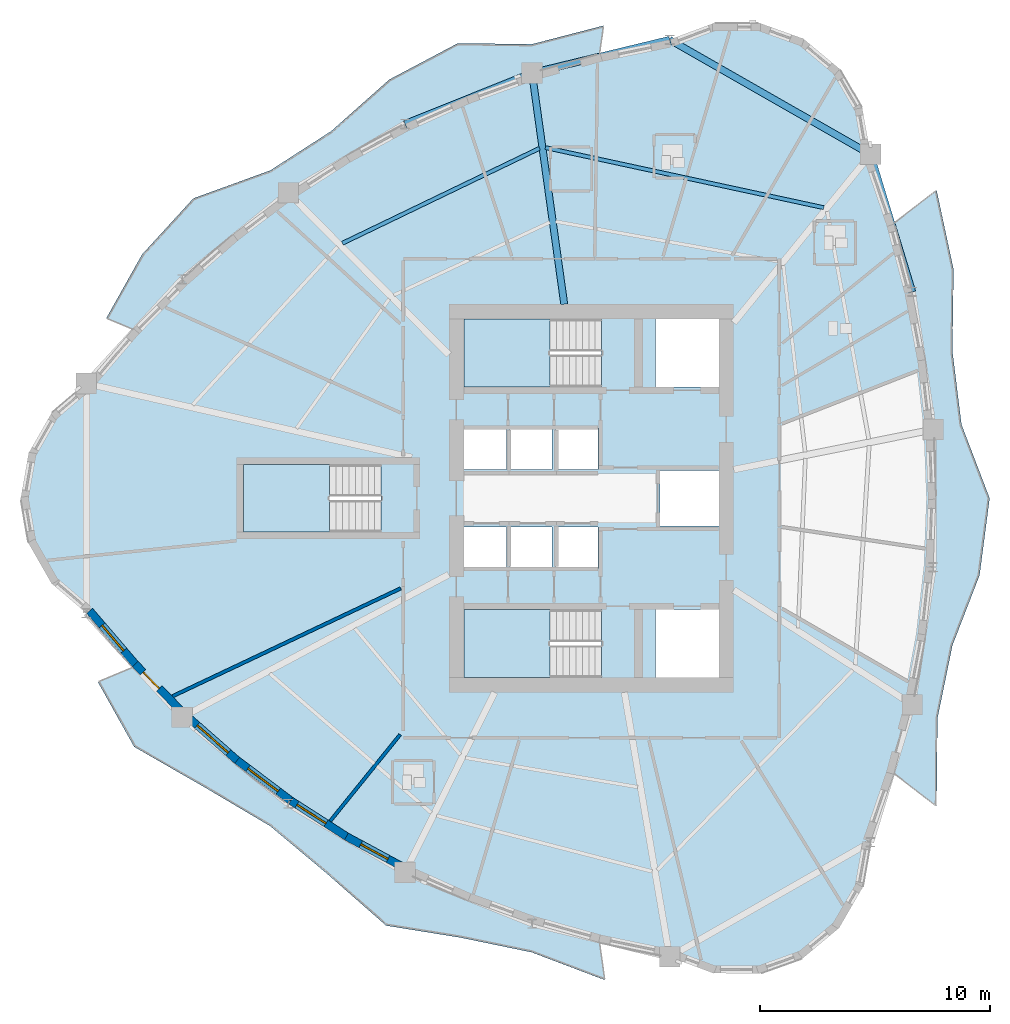
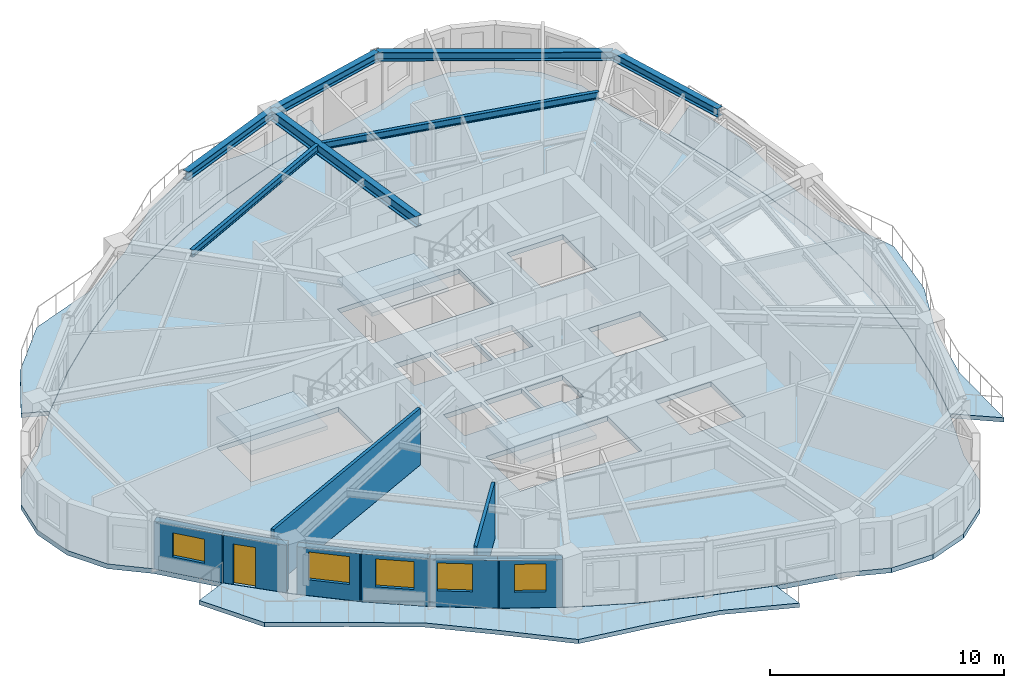
# One storey, part 2 of 12: 8 walls, 7 beams, 7 slabs, 5 windows, 1 door, 6 openings, 3 elements without a shape of their own.
"""IFC4 building model written with IfcOpenShell, lengths in metres."""

from ifc_helpers import new_model, si_unit, direction, frame, frame_2d, origin, origin_2d, place, context, subcontext, project, spatial, polyline, rectangle, i_section, outline, extrude, source, transform, mapped, material, layer, layer_set, material_profile, profile_set, type_object, element, fill, aggregate, save


model = new_model("IFC4")

# Units and contexts
model_context = context("Model", 3, precision=1e-05, world=origin(), true_north=direction((0.0, 1.0)))
body_context = subcontext(model_context, "Body", "Model", "MODEL_VIEW")
ifc_project = project(units=[si_unit("LENGTHUNIT", "METRE"), si_unit("AREAUNIT", "SQUARE_METRE"), si_unit("VOLUMEUNIT", "CUBIC_METRE"), si_unit("PLANEANGLEUNIT", "RADIAN"), si_unit("MASSUNIT", "GRAM", prefix="KILO")], contexts=[model_context])

# Site, building, storey
site_placement = place(None, origin())
site = spatial("IfcSite", under=ifc_project, at=site_placement, CompositionType="ELEMENT")
building_placement = place(site_placement, origin())
building = spatial("IfcBuilding", under=site, at=building_placement, Name="Qafzar Sky-Pleat Residences", CompositionType="ELEMENT")
storey_placement = place(building_placement, frame((0.0, 0.0, 96.0)))
storey = spatial("IfcBuildingStorey", under=building, at=storey_placement, Name="L28", CompositionType="ELEMENT", Elevation=96.0)

# Beams
ifc_material_1 = material(Name="Steel S355", Category="steel")
ifc_material_profile_1 = material_profile(ifc_material_1, i_section(OverallWidth=0.300048828125, OverallDepth=0.449951171875, WebThickness=0.013916015625, FlangeThickness=0.02587890625, FilletRadius=0.027099609375, at=origin_2d()), Name="HEB 450")
ifc_profile_set_1 = profile_set([ifc_material_profile_1], Name="Steel S355")
beam_type_1 = type_object("IfcBeamType", Name="BM-SPAN-HEB450", PredefinedType="SPANDREL", material=ifc_profile_set_1)
shared_shape_1 = source(origin(), body_context, "Body", "SweptSolid", [
    extrude(i_section(OverallWidth=0.300048828125, OverallDepth=0.449951171875, WebThickness=0.013916015625, FlangeThickness=0.02587890625, FilletRadius=0.027099609375, at=origin_2d()), origin(), (0.0, 0.0, 1.0), 10.072021484375),
])
beam_1_placement = place(storey_placement, frame((42.5048828125, 40.97119140625, 2.722900390625), z_axis=(-0.868286397172, 0.496063234363, 0.0), x_axis=(-0.496063234363, -0.868286397172, 0.0)))
element("IfcBeam", 1, at=beam_1_placement, inside=storey, type_object=beam_type_1, Name="L28 Perimeter Spandrel Beam 13", PredefinedType="SPANDREL", context=body_context, shape_type="MappedRepresentation", body=[
    mapped(shared_shape_1, transform((0.0, 0.0, 0.0), x_axis=(1.0, 0.0, 0.0), y_axis=(0.0, 1.0, 0.0), z_axis=(0.0, 0.0, 1.0), scale=1.0)),
])
shared_shape_2 = source(origin(), body_context, "Body", "SweptSolid", [
    extrude(i_section(OverallWidth=0.300048828125, OverallDepth=0.449951171875, WebThickness=0.013916015625, FlangeThickness=0.02587890625, FilletRadius=0.027099609375, at=origin_2d()), origin(), (0.0, 0.0, 1.0), 6.162353515625),
])
beam_2_placement = place(storey_placement, frame((33.759521484375, 45.967529296875, 2.722900390625), z_axis=(-0.971914942444, -0.235332413098, 0.0), x_axis=(0.235332413098, -0.971914942444, 0.0)))
element("IfcBeam", 2, at=beam_2_placement, inside=storey, type_object=beam_type_1, Name="L28 Perimeter Spandrel Beam 14", PredefinedType="SPANDREL", context=body_context, shape_type="MappedRepresentation", body=[
    mapped(shared_shape_2, transform((0.0, 0.0, 0.0), x_axis=(1.0, 0.0, 0.0), y_axis=(0.0, 1.0, 0.0), z_axis=(0.0, 0.0, 1.0), scale=1.0)),
])
shared_shape_3 = source(origin(), body_context, "Body", "SweptSolid", [
    extrude(i_section(OverallWidth=0.300048828125, OverallDepth=0.449951171875, WebThickness=0.013916015625, FlangeThickness=0.02587890625, FilletRadius=0.027099609375, at=origin_2d()), origin(), (0.0, 0.0, 1.0), 5.963623046875),
])
beam_3_placement = place(storey_placement, frame((27.770263671875, 44.517333984375, 2.722900390625), z_axis=(-0.92796478, -0.372667904546, 0.0), x_axis=(0.372667904546, -0.92796478, 0.0)))
element("IfcBeam", 3, at=beam_3_placement, inside=storey, type_object=beam_type_1, Name="L28 Perimeter Spandrel Beam 15", PredefinedType="SPANDREL", context=body_context, shape_type="MappedRepresentation", body=[
    mapped(shared_shape_3, transform((0.0, 0.0, 0.0), x_axis=(1.0, 0.0, 0.0), y_axis=(0.0, 1.0, 0.0), z_axis=(0.0, 0.0, 1.0), scale=1.0)),
])
shared_shape_4 = source(origin(), body_context, "Body", "SweptSolid", [
    extrude(i_section(OverallWidth=0.300048828125, OverallDepth=0.449951171875, WebThickness=0.013916015625, FlangeThickness=0.02587890625, FilletRadius=0.027099609375, at=origin_2d()), origin(), (0.0, 0.0, 1.0), 6.259033203125),
])
beam_4_placement = place(storey_placement, frame((44.325439453125, 34.982666015625, 2.722900390625), z_axis=(-0.290863594667, 0.956764531793, 0.0), x_axis=(-0.956764531793, -0.290863594667, 0.0)))
element("IfcBeam", 4, at=beam_4_placement, inside=storey, type_object=beam_type_1, Name="L28 Perimeter Spandrel Beam 12", PredefinedType="SPANDREL", context=body_context, shape_type="MappedRepresentation", body=[
    mapped(shared_shape_4, transform((0.0, 0.0, 0.0), x_axis=(1.0, 0.0, 0.0), y_axis=(0.0, 1.0, 0.0), z_axis=(0.0, 0.0, 1.0), scale=1.0)),
])
ifc_material_profile_2 = material_profile(ifc_material_1, i_section(OverallWidth=0.300048828125, OverallDepth=0.550048828125, WebThickness=0.014892578125, FlangeThickness=0.029052734375, FilletRadius=0.027099609375, at=origin_2d()), Name="HEB 550")
ifc_profile_set_2 = profile_set([ifc_material_profile_2], Name="Steel S355")
beam_type_2 = type_object("IfcBeamType", Name="BM-GIRD-HEB550", PredefinedType="BEAM", material=ifc_profile_set_2)
shared_shape_5 = source(origin(), body_context, "Body", "SweptSolid", [
    extrude(i_section(OverallWidth=0.300048828125, OverallDepth=0.550048828125, WebThickness=0.014892578125, FlangeThickness=0.029052734375, FilletRadius=0.027099609375, at=origin_2d()), origin(), (0.0, 0.0, 1.0), 10.16455078125),
])
beam_5_placement = place(storey_placement, frame((27.770263671875, 44.517333984375, 2.673095703125), z_axis=(0.137987276629, -0.990434001581, 0.0), x_axis=(0.990434001581, 0.137987276629, 0.0)))
element("IfcBeam", 5, at=beam_5_placement, inside=storey, type_object=beam_type_2, Name="L28 Radial Floor Girder 15", PredefinedType="BEAM", context=body_context, shape_type="MappedRepresentation", body=[
    mapped(shared_shape_5, transform((0.0, 0.0, 0.0), x_axis=(1.0, 0.0, 0.0), y_axis=(0.0, 1.0, 0.0), z_axis=(0.0, 0.0, 1.0), scale=1.0)),
])
ifc_material_profile_3 = material_profile(ifc_material_1, i_section(OverallWidth=0.169921875, OverallDepth=0.360107421875, WebThickness=0.008056640625, FlangeThickness=0.0126953125, FilletRadius=0.01806640625, at=origin_2d()), Name="IPE 360")
ifc_profile_set_3 = profile_set([ifc_material_profile_3], Name="Steel S355")
beam_type_3 = type_object("IfcBeamType", Name="BM-JST-IPE360", PredefinedType="JOIST", material=ifc_profile_set_3)
shared_shape_6 = source(origin(), body_context, "Body", "SweptSolid", [
    extrude(i_section(OverallWidth=0.169921875, OverallDepth=0.360107421875, WebThickness=0.008056640625, FlangeThickness=0.0126953125, FilletRadius=0.01806640625, at=origin_2d()), origin(), (0.0, 0.0, 1.0), 12.39501953125),
])
beam_6_placement = place(storey_placement, frame((40.46728515625, 38.652587890625, 2.76806640625), z_axis=(-0.977496999627, 0.210949320263, 0.0), x_axis=(-0.210949320263, -0.977496999627, 0.0)))
element("IfcBeam", 6, at=beam_6_placement, inside=storey, type_object=beam_type_3, Name="L28 Outer Secondary Floor Joist 7", PredefinedType="JOIST", context=body_context, shape_type="MappedRepresentation", body=[
    mapped(shared_shape_6, transform((0.0, 0.0, 0.0), x_axis=(1.0, 0.0, 0.0), y_axis=(0.0, 1.0, 0.0), z_axis=(0.0, 0.0, 1.0), scale=1.0)),
])
shared_shape_7 = source(origin(), body_context, "Body", "SweptSolid", [
    extrude(i_section(OverallWidth=0.169921875, OverallDepth=0.360107421875, WebThickness=0.008056640625, FlangeThickness=0.0126953125, FilletRadius=0.01806640625, at=origin_2d()), origin(), (0.0, 0.0, 1.0), 9.524658203125),
])
beam_7_placement = place(storey_placement, frame((28.097412109375, 41.2373046875, 2.76806640625), z_axis=(-0.90090776725, -0.434010593083, 0.0), x_axis=(0.434010593083, -0.90090776725, 0.0)))
element("IfcBeam", 7, at=beam_7_placement, inside=storey, type_object=beam_type_3, Name="L28 Outer Secondary Floor Joist 8", PredefinedType="JOIST", context=body_context, shape_type="MappedRepresentation", body=[
    mapped(shared_shape_7, transform((0.0, 0.0, 0.0), x_axis=(1.0, 0.0, 0.0), y_axis=(0.0, 1.0, 0.0), z_axis=(0.0, 0.0, 1.0), scale=1.0)),
])

# Slabs
ifc_material_2 = material(Name="Concrete C40/50", Category="concrete")
ifc_layer_1 = layer(ifc_material_2, 0.219970703125)
ifc_layer_set_1 = layer_set([ifc_layer_1], Name="Concrete C40/50")
slab_type_1 = type_object("IfcSlabType", Name="SLAB-BAL-220", PredefinedType="USERDEFINED", material=ifc_layer_set_1)
slab_1_placement = place(storey_placement, frame((0.0, 0.0, -0.219970703125)))
element("IfcSlab", 8, at=slab_1_placement, inside=storey, type_object=slab_type_1, Name="L28 Pleated Stone Balcony 1", ObjectType="BALCONY", PredefinedType="USERDEFINED", context=body_context, shape_type="SweptSolid", body=[
    extrude(outline(polyline([(44.3359375, 17.011474609375), (44.90576171875, 20.007568359375), (45.24755859375, 23.003662109375), (45.361572265625, 26.0), (45.24755859375, 28.996337890625), (44.90576171875, 31.992431640625), (44.3359375, 34.988525390625), (43.53857421875, 37.984130859375), (45.38427734375, 39.40771484375), (46.12158203125, 35.970947265625), (46.072509765625, 32.406005859375), (46.46728515625, 29.2080078125), (47.6923828125, 26.0), (47.25537109375, 22.65478515625), (46.072509765625, 19.593994140625), (45.420654296875, 16.414794921875), (45.38427734375, 12.59228515625), (43.53857421875, 14.015869140625), (44.3359375, 17.011474609375)])), origin(), (0.0, 0.0, 1.0), 0.219970703125),
])
slab_2_placement = place(storey_placement, frame((0.0, 0.0, -0.219970703125)))
element("IfcSlab", 9, at=slab_2_placement, inside=storey, type_object=slab_type_1, Name="L28 Pleated Stone Balcony 2", ObjectType="BALCONY", PredefinedType="USERDEFINED", context=body_context, shape_type="SweptSolid", body=[
    extrude(outline(polyline([(27.770263671875, 44.529296875), (24.9443359375, 43.514404296875), (22.232421875, 42.306396484375), (19.634033203125, 40.90478515625), (17.14990234375, 39.31005859375), (14.779541015625, 37.522216796875), (12.5234375, 35.541015625), (10.38134765625, 33.36669921875), (9.239013671875, 33.84423828125), (10.78857421875, 36.6103515625), (13.0224609375, 39.053466796875), (16.36767578125, 40.269775390625), (19.028076171875, 41.984375), (21.552734375, 44.227783203125), (24.543701171875, 45.810546875), (27.7548828125, 45.76708984375), (30.88134765625, 46.576904296875), (30.709716796875, 45.350830078125), (27.770263671875, 44.529296875)])), origin(), (0.0, 0.0, 1.0), 0.219970703125),
])
slab_3_placement = place(storey_placement, frame((0.0, 0.0, -0.219970703125)))
element("IfcSlab", 10, at=slab_3_placement, inside=storey, type_object=slab_type_1, Name="L28 Pleated Stone Balcony 3", ObjectType="BALCONY", PredefinedType="USERDEFINED", context=body_context, shape_type="SweptSolid", body=[
    extrude(outline(polyline([(12.5234375, 16.458984375), (14.779541015625, 14.477783203125), (17.14990234375, 12.68994140625), (19.634033203125, 11.09521484375), (22.232421875, 9.693603515625), (24.9443359375, 8.485595703125), (27.770263671875, 7.470703125), (30.709716796875, 6.649169921875), (30.936767578125, 5.027099609375), (27.7548828125, 6.23291015625), (24.662841796875, 6.8720703125), (21.419189453125, 7.395263671875), (18.832275390625, 9.666748046875), (16.36767578125, 11.730224609375), (13.544677734375, 13.401611328125), (10.447998046875, 15.1796875), (8.8701171875, 18.00146484375), (10.38134765625, 18.63330078125), (12.5234375, 16.458984375)])), origin(), (0.0, 0.0, 1.0), 0.219970703125),
])
ifc_layer_2 = layer(ifc_material_2, 0.25)
ifc_layer_set_2 = layer_set([ifc_layer_2], Name="Concrete C40/50")
slab_type_2 = type_object("IfcSlabType", Name="SLAB-FLR-250", PredefinedType="FLOOR", material=ifc_layer_set_2)
slab_4_placement = place(storey_placement, frame((0.0, 0.0, -0.25)))
element("IfcSlab", 11, at=slab_4_placement, inside=storey, type_object=slab_type_2, Name="L28 Structural Floor Slab", PredefinedType="FLOOR", context=body_context, shape_type="SweptSolid", body=[
    extrude(outline(polyline([(8.364990234375, 30.996337890625), (6.844970703125, 29.701171875), (5.854248046875, 27.96728515625), (5.510498046875, 26.0), (5.854248046875, 24.03271484375), (6.844970703125, 22.298828125), (8.364990234375, 21.003662109375), (10.392333984375, 18.637939453125), (12.53369140625, 16.46533203125), (14.78857421875, 14.48583984375), (17.157470703125, 12.69921875), (19.639892578125, 11.105712890625), (22.236328125, 9.705078125), (24.9462890625, 8.497314453125), (27.770263671875, 7.482666015625), (30.7080078125, 6.6611328125), (33.759521484375, 6.032470703125), (35.654541015625, 5.32470703125), (37.677490234375, 5.31103515625), (39.58203125, 5.992919921875), (41.13671875, 7.287109375), (42.152099609375, 9.036865234375), (42.5048828125, 11.02880859375), (43.529052734375, 14.023193359375), (44.325439453125, 17.017333984375), (44.894287109375, 20.011474609375), (45.235595703125, 23.005859375), (45.349609375, 26.0), (45.235595703125, 28.994140625), (44.894287109375, 31.988525390625), (44.325439453125, 34.982666015625), (43.529052734375, 37.976806640625), (42.5048828125, 40.97119140625), (42.152099609375, 42.963134765625), (41.13671875, 44.712890625), (39.58203125, 46.007080078125), (37.677490234375, 46.68896484375), (35.654541015625, 46.67529296875), (33.759521484375, 45.967529296875), (30.7080078125, 45.3388671875), (27.770263671875, 44.517333984375), (24.9462890625, 43.502685546875), (22.236328125, 42.294921875), (19.639892578125, 40.894287109375), (17.157470703125, 39.30078125), (14.78857421875, 37.51416015625), (12.53369140625, 35.53466796875), (10.392333984375, 33.362060546875), (8.364990234375, 30.996337890625)]), holes=[polyline([(30.797119140625, 21.14990234375), (24.800048828125, 21.14990234375), (24.800048828125, 18.199951171875), (30.797119140625, 18.199951171875), (30.797119140625, 21.14990234375)]), polyline([(30.797119140625, 33.800048828125), (24.800048828125, 33.800048828125), (24.800048828125, 30.85009765625), (30.797119140625, 30.85009765625), (30.797119140625, 33.800048828125)]), polyline([(21.197021484375, 27.47509765625), (15.199951171875, 27.47509765625), (15.199951171875, 24.52490234375), (21.197021484375, 24.52490234375), (21.197021484375, 27.47509765625)]), polyline([(24.800048828125, 22.949951171875), (26.64990234375, 22.949951171875), (26.64990234375, 24.75), (24.800048828125, 24.75), (24.800048828125, 22.949951171875)]), polyline([(26.800048828125, 22.949951171875), (28.64990234375, 22.949951171875), (28.64990234375, 24.75), (26.800048828125, 24.75), (26.800048828125, 22.949951171875)]), polyline([(28.800048828125, 22.949951171875), (30.64990234375, 22.949951171875), (30.64990234375, 24.75), (28.800048828125, 24.75), (28.800048828125, 22.949951171875)]), polyline([(24.800048828125, 27.25), (26.64990234375, 27.25), (26.64990234375, 29.050048828125), (24.800048828125, 29.050048828125), (24.800048828125, 27.25)]), polyline([(26.800048828125, 27.25), (28.64990234375, 27.25), (28.64990234375, 29.050048828125), (26.800048828125, 29.050048828125), (26.800048828125, 27.25)]), polyline([(28.800048828125, 27.25), (30.64990234375, 27.25), (30.64990234375, 29.050048828125), (28.800048828125, 29.050048828125), (28.800048828125, 27.25)]), polyline([(33.14990234375, 18.199951171875), (35.89990234375, 18.199951171875), (35.89990234375, 21.14990234375), (33.14990234375, 21.14990234375), (33.14990234375, 18.199951171875)]), polyline([(33.14990234375, 30.85009765625), (35.89990234375, 30.85009765625), (35.89990234375, 33.800048828125), (33.14990234375, 33.800048828125), (33.14990234375, 30.85009765625)]), polyline([(33.35009765625, 24.800048828125), (35.89990234375, 24.800048828125), (35.89990234375, 27.199951171875), (33.35009765625, 27.199951171875), (33.35009765625, 24.800048828125)])]), origin(), (0.0, 0.0, 1.0), 0.25),
])

# Stair, slab
stair_type = type_object("IfcStairType", Name="STAIR-H320", PredefinedType="HALF_TURN_STAIR", material=ifc_material_2)
stair_1_placement = place(storey_placement, origin())
stair_1 = element("IfcStair", 12, at=stair_1_placement, inside=storey, type_object=stair_type, Name="L28 Protected Exit Stair ST1", PredefinedType="HALF_TURN_STAIR")
ifc_layer_3 = layer(ifc_material_2, 0.199951171875)
ifc_layer_set_3 = layer_set([ifc_layer_3], Name="Concrete C40/50")
slab_type_3 = type_object("IfcSlabType", Name="SLAB-LANDING-200", PredefinedType="LANDING", material=ifc_layer_set_3)
slab_5_placement = place(storey_placement, frame((0.0, 0.0, 1.39990234375)))
slab_5 = element("IfcSlab", 13, at=slab_5_placement, type_object=slab_type_3, Name="ST1 landing 1", PredefinedType="LANDING", context=body_context, shape_type="SweptSolid", body=[
    extrude(outline(polyline([(28.56005859375, 21.14990234375), (24.800048828125, 21.14990234375), (24.800048828125, 18.199951171875), (28.56005859375, 18.199951171875), (28.56005859375, 21.14990234375)])), origin(), (0.0, 0.0, 1.0), 0.2001953125),
])
aggregate(stair_1, [slab_5])

stair_2_placement = place(storey_placement, origin())
stair_2 = element("IfcStair", 14, at=stair_2_placement, inside=storey, type_object=stair_type, Name="L28 Protected Exit Stair ST2", PredefinedType="HALF_TURN_STAIR")
slab_6_placement = place(storey_placement, frame((0.0, 0.0, 1.39990234375)))
slab_6 = element("IfcSlab", 15, at=slab_6_placement, type_object=slab_type_3, Name="ST2 landing 1", PredefinedType="LANDING", context=body_context, shape_type="SweptSolid", body=[
    extrude(outline(polyline([(28.56005859375, 33.800048828125), (24.800048828125, 33.800048828125), (24.800048828125, 30.85009765625), (28.56005859375, 30.85009765625), (28.56005859375, 33.800048828125)])), origin(), (0.0, 0.0, 1.0), 0.2001953125),
])
aggregate(stair_2, [slab_6])

stair_3_placement = place(storey_placement, origin())
stair_3 = element("IfcStair", 16, at=stair_3_placement, inside=storey, type_object=stair_type, Name="L28 Protected Exit Stair ST3", PredefinedType="HALF_TURN_STAIR")
slab_7_placement = place(storey_placement, frame((0.0, 0.0, 1.39990234375)))
slab_7 = element("IfcSlab", 17, at=slab_7_placement, type_object=slab_type_3, Name="ST3 landing 1", PredefinedType="LANDING", context=body_context, shape_type="SweptSolid", body=[
    extrude(outline(polyline([(18.9599609375, 27.47509765625), (15.199951171875, 27.47509765625), (15.199951171875, 24.52490234375), (18.9599609375, 24.52490234375), (18.9599609375, 27.47509765625)])), origin(), (0.0, 0.0, 1.0), 0.2001953125),
])
aggregate(stair_3, [slab_7])

# Walls
ifc_material_3 = material(Name="Acoustic gypsum plasterboard partition", Category="gypsum")
ifc_layer_4 = layer(ifc_material_3, 0.14501953125)
ifc_layer_set_4 = layer_set([ifc_layer_4], Name="Acoustic gypsum plasterboard partition")
wall_type_1 = type_object("IfcWallType", Name="PART-UNIT-145", PredefinedType="PARTITIONING", material=ifc_layer_set_4)
wall_1_placement = place(storey_placement, frame((12.122802734375, 17.3828125, 0.0), z_axis=(0.0, 0.0, 1.0), x_axis=(0.904049465168, 0.427427847162, 0.0)))
element("IfcWall", 18, at=wall_1_placement, inside=storey, type_object=wall_type_1, Name="L28 Partition Wall PART-L28-PW-023", PredefinedType="PARTITIONING", context=body_context, shape_type="SweptSolid", body=[
    extrude(rectangle(XDim=10.982666015625, YDim=0.14501953125, at=frame_2d((5.4912109375, 0.0))), origin(), (0.0, 0.0, 1.0), 2.949951171875),
])
wall_2_placement = place(storey_placement, frame((18.985595703125, 11.948486328125, 0.0), z_axis=(0.0, 0.0, 1.0), x_axis=(0.628820808954, 0.777550249326, 0.0)))
element("IfcWall", 19, at=wall_2_placement, inside=storey, type_object=wall_type_1, Name="L28 Partition Wall PART-L28-PW-038", PredefinedType="PARTITIONING", context=body_context, shape_type="SweptSolid", body=[
    extrude(rectangle(XDim=4.839111328125, YDim=0.14501953125, at=frame_2d((2.41943359375, 0.0))), origin(), (0.0, 0.0, 1.0), 2.949951171875),
])

# Wall, opening, window
ifc_material_4 = material(Name="Precast concrete C40/50 with honed Riyadh limestone", Category="concrete")
ifc_layer_5 = layer(ifc_material_4, 0.340087890625)
ifc_layer_set_5 = layer_set([ifc_layer_5], Name="Precast concrete C40/50 with honed Riyadh limestone")
wall_type_2 = type_object("IfcWallType", Name="WALL-EXT-340", PredefinedType="SOLIDWALL", material=ifc_layer_set_5)
wall_3_placement = place(storey_placement, frame((8.507080078125, 21.09912109375, 0.0), z_axis=(0.0, 0.0, 1.0), x_axis=(0.650714375508, -0.759322593834, 0.0)))
wall_3 = element("IfcWall", 20, at=wall_3_placement, inside=storey, type_object=wall_type_2, Name="L28 Limestone Facade Wall 7", PredefinedType="SOLIDWALL", context=body_context, shape_type="SweptSolid", body=[
    extrude(rectangle(XDim=3.133544921875, YDim=0.340087890625, at=frame_2d((1.56689453125, 0.0))), origin(), (0.0, 0.0, 1.0), 2.47998046875),
])
opening_1_placement = place(wall_3_placement, frame((0.831787109375, 0.0, 0.820068359375)))
opening_1 = element("IfcOpeningElement", 21, at=opening_1_placement, cuts=wall_3, Name="Opening WN-15", PredefinedType="OPENING", context=body_context, shape_type="SweptSolid", body=[
    extrude(rectangle(XDim=1.449951171875, YDim=1.25, at=frame_2d((0.72509765625, 0.625))), frame((0.0, 0.18017578125, 0.0), z_axis=(0.0, -1.0, 0.0), x_axis=(1.0, 0.0, 0.0)), (0.0, 0.0, 1.0), 0.360107421875),
])
ifc_material_5 = material(Name="Solar-control low-E glass in bronze aluminium frame", Category="glass")
window_type_1 = type_object("IfcWindowType", Name="WIN-15", PartitioningType="SINGLE_PANEL", PredefinedType="WINDOW", material=ifc_material_5)
shared_shape_8 = source(origin(), body_context, "Body", "SweptSolid", [
    extrude(rectangle(XDim=1.449951171875, YDim=1.25, at=frame_2d((0.72509765625, 0.625))), frame((0.0, 0.030029296875, 0.0), z_axis=(0.0, -1.0, 0.0), x_axis=(1.0, 0.0, 0.0)), (0.0, 0.0, 1.0), 0.06005859375),
])
window_1_placement = place(opening_1_placement, origin())
window_1 = element("IfcWindow", 22, at=window_1_placement, inside=storey, type_object=window_type_1, Name="L28 Punched Facade Window 07", OverallHeight=1.25, OverallWidth=1.449951171875, PartitioningType="SINGLE_PANEL", PredefinedType="WINDOW", context=body_context, shape_type="MappedRepresentation", body=[
    mapped(shared_shape_8, transform((0.0, 0.0, 0.0), x_axis=(1.0, 0.0, 0.0), y_axis=(0.0, 1.0, 0.0), z_axis=(0.0, 0.0, 1.0), scale=1.0)),
])
fill(opening_1, window_1)

# Wall, opening, door
wall_4_placement = place(storey_placement, frame((10.48681640625, 18.784423828125, 0.0), z_axis=(0.0, 0.0, 1.0), x_axis=(0.701920439278, -0.71225535935, 0.0)))
wall_4 = element("IfcWall", 23, at=wall_4_placement, inside=storey, type_object=wall_type_2, Name="L28 Limestone Facade Wall 8", PredefinedType="SOLIDWALL", context=body_context, shape_type="SweptSolid", body=[
    extrude(rectangle(XDim=2.8583984375, YDim=0.340087890625, at=frame_2d((1.42919921875, 0.0))), origin(), (0.0, 0.0, 1.0), 2.47998046875),
])
opening_2_placement = place(wall_4_placement, frame((0.50048828125, 0.0, 0.0)))
opening_2 = element("IfcOpeningElement", 24, at=opening_2_placement, cuts=wall_4, Name="Opening ED-05", PredefinedType="OPENING", context=body_context, shape_type="SweptSolid", body=[
    extrude(rectangle(XDim=1.0, YDim=2.10009765625, at=frame_2d((0.5, 1.050048828125))), frame((0.0, 0.18017578125, 0.0), z_axis=(0.0, -1.0, 0.0), x_axis=(1.0, 0.0, 0.0)), (0.0, 0.0, 1.0), 0.360107421875),
])
ifc_material_6 = material(Name="Glazed bronze aluminium door", Category="aluminium")
door_type = type_object("IfcDoorType", Name="DR-BAL-1000", OperationType="NOTDEFINED", PredefinedType="DOOR", material=ifc_material_6)
shared_shape_9 = source(origin(), body_context, "Body", "SweptSolid", [
    extrude(rectangle(XDim=1.0, YDim=2.10009765625, at=frame_2d((0.5, 1.050048828125))), frame((0.0, 0.02490234375, 0.0), z_axis=(0.0, -1.0, 0.0), x_axis=(1.0, 0.0, 0.0)), (0.0, 0.0, 1.0), 0.050048828125),
])
door_placement = place(opening_2_placement, origin())
door = element("IfcDoor", 25, at=door_placement, inside=storey, type_object=door_type, Name="L28 Glazed Balcony Door 3", OperationType="SINGLE_SWING_LEFT", OverallHeight=2.10009765625, OverallWidth=1.0, PredefinedType="DOOR", context=body_context, shape_type="MappedRepresentation", body=[
    mapped(shared_shape_9, transform((0.0, 0.0, 0.0), x_axis=(1.0, 0.0, 0.0), y_axis=(0.0, 1.0, 0.0), z_axis=(0.0, 0.0, 1.0), scale=1.0)),
])
fill(opening_2, door)

# Wall, opening, window
wall_5_placement = place(storey_placement, frame((12.818603515625, 16.44140625, 0.0), z_axis=(0.0, 0.0, 1.0), x_axis=(0.751471759174, -0.659765257621, 0.0)))
wall_5 = element("IfcWall", 26, at=wall_5_placement, inside=storey, type_object=wall_type_2, Name="L28 Limestone Facade Wall 9", PredefinedType="SOLIDWALL", context=body_context, shape_type="SweptSolid", body=[
    extrude(rectangle(XDim=2.80859375, YDim=0.340087890625, at=frame_2d((1.404296875, 0.0))), origin(), (0.0, 0.0, 1.0), 2.47998046875),
])
opening_3_placement = place(wall_5_placement, frame((0.499267578125, 0.0, 0.820068359375)))
opening_3 = element("IfcOpeningElement", 27, at=opening_3_placement, cuts=wall_5, Name="Opening WN-01", PredefinedType="OPENING", context=body_context, shape_type="SweptSolid", body=[
    extrude(rectangle(XDim=1.800048828125, YDim=1.449951171875, at=frame_2d((0.89990234375, 0.72509765625))), frame((0.0, 0.18017578125, 0.0), z_axis=(0.0, -1.0, 0.0), x_axis=(1.0, 0.0, 0.0)), (0.0, 0.0, 1.0), 0.360107421875),
])
window_type_2 = type_object("IfcWindowType", Name="WIN-01", PartitioningType="DOUBLE_PANEL_VERTICAL", PredefinedType="WINDOW", material=ifc_material_5)
shared_shape_10 = source(origin(), body_context, "Body", "SweptSolid", [
    extrude(rectangle(XDim=1.800048828125, YDim=1.449951171875, at=frame_2d((0.89990234375, 0.72509765625))), frame((0.0, 0.030029296875, 0.0), z_axis=(0.0, -1.0, 0.0), x_axis=(1.0, 0.0, 0.0)), (0.0, 0.0, 1.0), 0.06005859375),
])
window_2_placement = place(opening_3_placement, origin())
window_2 = element("IfcWindow", 28, at=window_2_placement, inside=storey, type_object=window_type_2, Name="L28 Punched Facade Window 09", OverallHeight=1.449951171875, OverallWidth=1.800048828125, PartitioningType="SINGLE_PANEL", PredefinedType="WINDOW", context=body_context, shape_type="MappedRepresentation", body=[
    mapped(shared_shape_10, transform((0.0, 0.0, 0.0), x_axis=(1.0, 0.0, 0.0), y_axis=(0.0, 1.0, 0.0), z_axis=(0.0, 0.0, 1.0), scale=1.0)),
])
fill(opening_3, window_2)

wall_6_placement = place(storey_placement, frame((14.860595703125, 14.644287109375, 0.0), z_axis=(0.0, 0.0, 1.0), x_axis=(0.798407246828, -0.602117819212, 0.0)))
wall_6 = element("IfcWall", 29, at=wall_6_placement, inside=storey, type_object=wall_type_2, Name="L28 Limestone Facade Wall 10", PredefinedType="SOLIDWALL", context=body_context, shape_type="SweptSolid", body=[
    extrude(rectangle(XDim=2.985107421875, YDim=0.340087890625, at=frame_2d((1.49267578125, 0.0))), origin(), (0.0, 0.0, 1.0), 2.47998046875),
])
opening_4_placement = place(wall_6_placement, frame((0.677490234375, 0.0, 0.820068359375)))
opening_4 = element("IfcOpeningElement", 30, at=opening_4_placement, cuts=wall_6, Name="Opening WN-02", PredefinedType="OPENING", context=body_context, shape_type="SweptSolid", body=[
    extrude(rectangle(XDim=1.64990234375, YDim=1.449951171875, at=frame_2d((0.824951171875, 0.72509765625))), frame((0.0, 0.18017578125, 0.0), z_axis=(0.0, -1.0, 0.0), x_axis=(1.0, 0.0, 0.0)), (0.0, 0.0, 1.0), 0.360107421875),
])
window_type_3 = type_object("IfcWindowType", Name="WIN-02", PartitioningType="DOUBLE_PANEL_VERTICAL", PredefinedType="WINDOW", material=ifc_material_5)
shared_shape_11 = source(origin(), body_context, "Body", "SweptSolid", [
    extrude(rectangle(XDim=1.64990234375, YDim=1.449951171875, at=frame_2d((0.824951171875, 0.72509765625))), frame((0.0, 0.030029296875, 0.0), z_axis=(0.0, -1.0, 0.0), x_axis=(1.0, 0.0, 0.0)), (0.0, 0.0, 1.0), 0.06005859375),
])
window_3_placement = place(opening_4_placement, origin())
window_3 = element("IfcWindow", 31, at=window_3_placement, inside=storey, type_object=window_type_3, Name="L28 Punched Facade Window 10", OverallHeight=1.449951171875, OverallWidth=1.64990234375, PartitioningType="SINGLE_PANEL", PredefinedType="WINDOW", context=body_context, shape_type="MappedRepresentation", body=[
    mapped(shared_shape_11, transform((0.0, 0.0, 0.0), x_axis=(1.0, 0.0, 0.0), y_axis=(0.0, 1.0, 0.0), z_axis=(0.0, 0.0, 1.0), scale=1.0)),
])
fill(opening_4, window_3)

wall_7_placement = place(storey_placement, frame((17.26611328125, 12.83154296875, 0.0), z_axis=(0.0, 0.0, 1.0), x_axis=(0.841493702039, -0.540266924241, 0.0)))
wall_7 = element("IfcWall", 32, at=wall_7_placement, inside=storey, type_object=wall_type_2, Name="L28 Limestone Facade Wall 11", PredefinedType="SOLIDWALL", context=body_context, shape_type="SweptSolid", body=[
    extrude(rectangle(XDim=2.968017578125, YDim=0.340087890625, at=frame_2d((1.48388671875, 0.0))), origin(), (0.0, 0.0, 1.0), 2.47998046875),
])
opening_5_placement = place(wall_7_placement, frame((0.320556640625, 0.0, 0.820068359375)))
opening_5 = element("IfcOpeningElement", 33, at=opening_5_placement, cuts=wall_7, Name="Opening WN-03", PredefinedType="OPENING", context=body_context, shape_type="SweptSolid", body=[
    extrude(rectangle(XDim=1.5, YDim=1.449951171875, at=frame_2d((0.75, 0.72509765625))), frame((0.0, 0.18017578125, 0.0), z_axis=(0.0, -1.0, 0.0), x_axis=(1.0, 0.0, 0.0)), (0.0, 0.0, 1.0), 0.360107421875),
])
window_type_4 = type_object("IfcWindowType", Name="WIN-03", PartitioningType="DOUBLE_PANEL_VERTICAL", PredefinedType="WINDOW", material=ifc_material_5)
shared_shape_12 = source(origin(), body_context, "Body", "SweptSolid", [
    extrude(rectangle(XDim=1.5, YDim=1.449951171875, at=frame_2d((0.75, 0.72509765625))), frame((0.0, 0.030029296875, 0.0), z_axis=(0.0, -1.0, 0.0), x_axis=(1.0, 0.0, 0.0)), (0.0, 0.0, 1.0), 0.06005859375),
])
window_4_placement = place(opening_5_placement, origin())
window_4 = element("IfcWindow", 34, at=window_4_placement, inside=storey, type_object=window_type_4, Name="L28 Punched Facade Window 11", OverallHeight=1.449951171875, OverallWidth=1.5, PartitioningType="SINGLE_PANEL", PredefinedType="WINDOW", context=body_context, shape_type="MappedRepresentation", body=[
    mapped(shared_shape_12, transform((0.0, 0.0, 0.0), x_axis=(1.0, 0.0, 0.0), y_axis=(0.0, 1.0, 0.0), z_axis=(0.0, 0.0, 1.0), scale=1.0)),
])
fill(opening_5, window_4)

wall_8_placement = place(storey_placement, frame((19.687255859375, 11.273193359375, 0.0), z_axis=(0.0, 0.0, 1.0), x_axis=(0.880115534419, -0.474759566595, 0.0)))
wall_8 = element("IfcWall", 35, at=wall_8_placement, inside=storey, type_object=wall_type_2, Name="L28 Limestone Facade Wall 12", PredefinedType="SOLIDWALL", context=body_context, shape_type="SweptSolid", body=[
    extrude(rectangle(XDim=2.7578125, YDim=0.340087890625, at=frame_2d((1.37890625, 0.0))), origin(), (0.0, 0.0, 1.0), 2.47998046875),
])
opening_6_placement = place(wall_8_placement, frame((0.708984375, 0.0, 0.820068359375)))
opening_6 = element("IfcOpeningElement", 36, at=opening_6_placement, cuts=wall_8, Name="Opening WN-04", PredefinedType="OPENING", context=body_context, shape_type="SweptSolid", body=[
    extrude(rectangle(XDim=1.35009765625, YDim=1.449951171875, at=frame_2d((0.675048828125, 0.72509765625))), frame((0.0, 0.18017578125, 0.0), z_axis=(0.0, -1.0, 0.0), x_axis=(1.0, 0.0, 0.0)), (0.0, 0.0, 1.0), 0.360107421875),
])
window_type_5 = type_object("IfcWindowType", Name="WIN-04", PartitioningType="SINGLE_PANEL", PredefinedType="WINDOW", material=ifc_material_5)
shared_shape_13 = source(origin(), body_context, "Body", "SweptSolid", [
    extrude(rectangle(XDim=1.35009765625, YDim=1.449951171875, at=frame_2d((0.675048828125, 0.72509765625))), frame((0.0, 0.030029296875, 0.0), z_axis=(0.0, -1.0, 0.0), x_axis=(1.0, 0.0, 0.0)), (0.0, 0.0, 1.0), 0.06005859375),
])
window_5_placement = place(opening_6_placement, origin())
window_5 = element("IfcWindow", 37, at=window_5_placement, inside=storey, type_object=window_type_5, Name="L28 Punched Facade Window 12", OverallHeight=1.449951171875, OverallWidth=1.35009765625, PartitioningType="SINGLE_PANEL", PredefinedType="WINDOW", context=body_context, shape_type="MappedRepresentation", body=[
    mapped(shared_shape_13, transform((0.0, 0.0, 0.0), x_axis=(1.0, 0.0, 0.0), y_axis=(0.0, 1.0, 0.0), z_axis=(0.0, 0.0, 1.0), scale=1.0)),
])
fill(opening_6, window_5)

save(model, "model.ifc")
